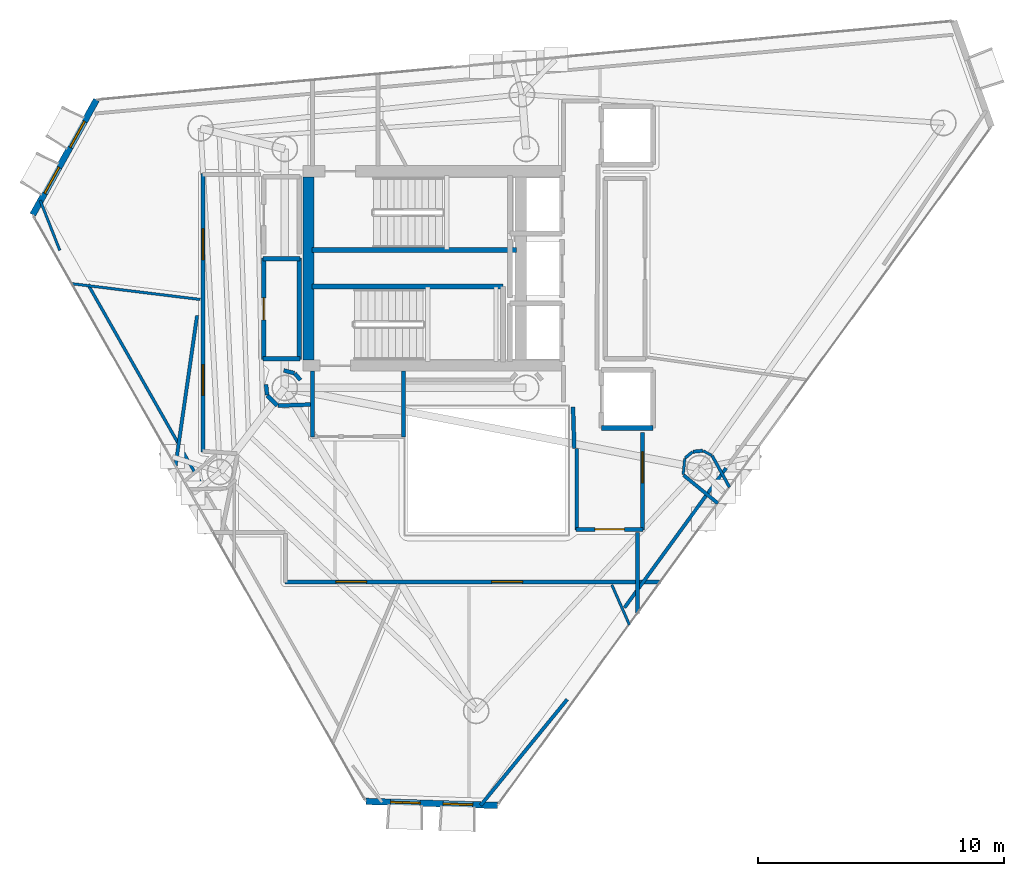
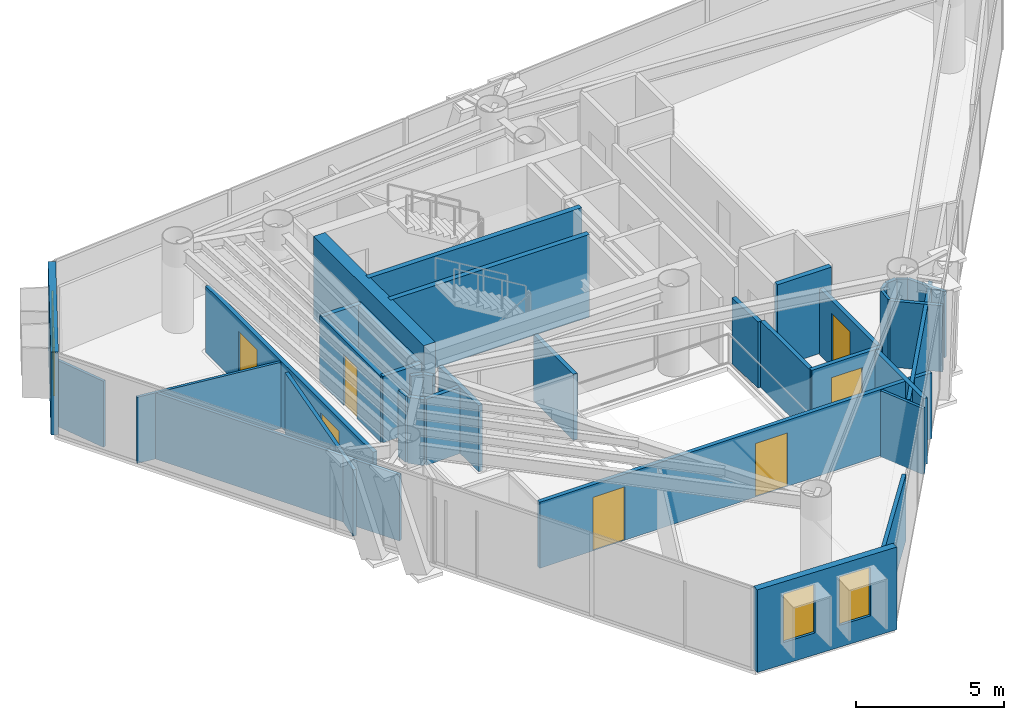
# One storey, part 17 of 21: 37 walls, 7 doors, 4 windows, 11 openings.
"""IFC4 building model written with IfcOpenShell, lengths in metres."""

from ifc_helpers import new_model, si_unit, direction, frame, frame_2d, origin, place, context, subcontext, project, spatial, rectangle, extrude, material, layer, layer_set, type_object, element, fill, save


model = new_model("IFC4")

# Units and contexts
model_context = context("Model", 3, precision=1e-05, world=origin(), true_north=direction((0.0, 1.0)))
body_context = subcontext(model_context, "Body", "Model", "MODEL_VIEW")
ifc_project = project(units=[si_unit("LENGTHUNIT", "METRE"), si_unit("AREAUNIT", "SQUARE_METRE"), si_unit("VOLUMEUNIT", "CUBIC_METRE"), si_unit("PLANEANGLEUNIT", "RADIAN"), si_unit("MASSUNIT", "GRAM", prefix="KILO")], contexts=[model_context])

# Site, building, storey
site_placement = place(None, origin())
site = spatial("IfcSite", under=ifc_project, at=site_placement, CompositionType="ELEMENT")
building_placement = place(site_placement, origin())
building = spatial("IfcBuilding", under=site, at=building_placement, Name="Qianvela Tower", CompositionType="ELEMENT")
storey_placement = place(building_placement, frame((0.0, 0.0, 272.300048828125)))
storey = spatial("IfcBuildingStorey", under=building, at=storey_placement, Name="L70", CompositionType="ELEMENT", Elevation=272.300048828125)

# Wall, openings, windows
ifc_material_1 = material(Name="Terracotta Cladding on Concrete C40", Category="masonry")
ifc_layer_1 = layer(ifc_material_1, 0.260009765625)
ifc_layer_set_1 = layer_set([ifc_layer_1], Name="Terracotta Cladding on Concrete C40")
wall_type_1 = type_object("IfcWallType", Name="TERRACOTTA-WALL-260", PredefinedType="SOLIDWALL", material=ifc_layer_set_1)
wall_1_placement = place(storey_placement, frame((20.956787109375, 35.5458984375, 0.0), z_axis=(0.0, 0.0, 1.0), x_axis=(-0.484978263169, -0.874526205584, 0.0)))
wall_1 = element("IfcWall", 1, at=wall_1_placement, inside=storey, type_object=wall_type_1, Name="L70 Terracotta Chamfer Facet Wall 3", PredefinedType="SOLIDWALL", context=body_context, shape_type="SweptSolid", body=[
    extrude(rectangle(XDim=5.333984375, YDim=0.260009765625, at=frame_2d((2.6669921875, 0.0))), origin(), (0.0, 0.0, 1.0), 3.39990234375),
])
opening_1_placement = place(wall_1_placement, frame((1.000244140625, 0.0, 0.89990234375)))
opening_1 = element("IfcOpeningElement", 2, at=opening_1_placement, cuts=wall_1, Name="Opening W-03", PredefinedType="OPENING", context=body_context, shape_type="SweptSolid", body=[
    extrude(rectangle(XDim=1.199951171875, YDim=2.0, at=frame_2d((0.60009765625, 1.0))), frame((0.0, 0.139892578125, 0.0), z_axis=(0.0, -1.0, 0.0), x_axis=(1.0, 0.0, 0.0)), (0.0, 0.0, 1.0), 0.280029296875),
])
opening_2_placement = place(wall_1_placement, frame((3.1337890625, 0.0, 0.89990234375)))
opening_2 = element("IfcOpeningElement", 3, at=opening_2_placement, cuts=wall_1, Name="Opening W-03", PredefinedType="OPENING", context=body_context, shape_type="SweptSolid", body=[
    extrude(rectangle(XDim=1.199951171875, YDim=2.0, at=frame_2d((0.60009765625, 1.0))), frame((0.0, 0.139892578125, 0.0), z_axis=(0.0, -1.0, 0.0), x_axis=(1.0, 0.0, 0.0)), (0.0, 0.0, 1.0), 0.280029296875),
])
ifc_material_2 = material(Name="Thermally Broken Aluminium and Low-E Glass", Category="aluminium")
window_type = type_object("IfcWindowType", Name="WIN-TC-1200x2000", PartitioningType="SINGLE_PANEL", PredefinedType="WINDOW", material=ifc_material_2)
window_1_placement = place(opening_1_placement, origin())
window_1 = element("IfcWindow", 4, at=window_1_placement, inside=storey, type_object=window_type, Name="L70 Chamfer Facet Window 3.1", OverallHeight=2.0, OverallWidth=1.199951171875, PartitioningType="SINGLE_PANEL", PredefinedType="WINDOW", context=body_context, shape_type="SweptSolid", body=[
    extrude(rectangle(XDim=1.199951171875, YDim=2.0, at=frame_2d((0.60009765625, 1.0))), frame((0.0, 0.030029296875, 0.0), z_axis=(0.0, -1.0, 0.0), x_axis=(1.0, 0.0, 0.0)), (0.0, 0.0, 1.0), 0.06005859375),
])
fill(opening_1, window_1)
window_2_placement = place(opening_2_placement, origin())
window_2 = element("IfcWindow", 5, at=window_2_placement, inside=storey, type_object=window_type, Name="L70 Chamfer Facet Window 3.2", OverallHeight=2.0, OverallWidth=1.199951171875, PartitioningType="SINGLE_PANEL", PredefinedType="WINDOW", context=body_context, shape_type="SweptSolid", body=[
    extrude(rectangle(XDim=1.199951171875, YDim=2.0, at=frame_2d((0.60009765625, 1.0))), frame((0.0, 0.030029296875, 0.0), z_axis=(0.0, -1.0, 0.0), x_axis=(1.0, 0.0, 0.0)), (0.0, 0.0, 1.0), 0.06005859375),
])
fill(opening_2, window_2)

wall_2_placement = place(storey_placement, frame((31.897216796875, 7.068603515625, 0.0), z_axis=(0.0, 0.0, 1.0), x_axis=(0.999514127971, -0.031169022857, 0.0)))
wall_2 = element("IfcWall", 6, at=wall_2_placement, inside=storey, type_object=wall_type_1, Name="L70 Terracotta Chamfer Facet Wall 5", PredefinedType="SOLIDWALL", context=body_context, shape_type="SweptSolid", body=[
    extrude(rectangle(XDim=5.334228515625, YDim=0.260009765625, at=frame_2d((2.6669921875, 0.0))), origin(), (0.0, 0.0, 1.0), 3.39990234375),
])
opening_3_placement = place(wall_2_placement, frame((1.000244140625, 0.0, 0.89990234375)))
opening_3 = element("IfcOpeningElement", 7, at=opening_3_placement, cuts=wall_2, Name="Opening W-03", PredefinedType="OPENING", context=body_context, shape_type="SweptSolid", body=[
    extrude(rectangle(XDim=1.199951171875, YDim=2.0, at=frame_2d((0.60009765625, 1.0))), frame((0.0, 0.139892578125, 0.0), z_axis=(0.0, -1.0, 0.0), x_axis=(1.0, 0.0, 0.0)), (0.0, 0.0, 1.0), 0.280029296875),
])
opening_4_placement = place(wall_2_placement, frame((3.1337890625, 0.0, 0.89990234375)))
opening_4 = element("IfcOpeningElement", 8, at=opening_4_placement, cuts=wall_2, Name="Opening W-03", PredefinedType="OPENING", context=body_context, shape_type="SweptSolid", body=[
    extrude(rectangle(XDim=1.199951171875, YDim=2.0, at=frame_2d((0.60009765625, 1.0))), frame((0.0, 0.139892578125, 0.0), z_axis=(0.0, -1.0, 0.0), x_axis=(1.0, 0.0, 0.0)), (0.0, 0.0, 1.0), 0.280029296875),
])
window_3_placement = place(opening_3_placement, origin())
window_3 = element("IfcWindow", 9, at=window_3_placement, inside=storey, type_object=window_type, Name="L70 Chamfer Facet Window 5.1", OverallHeight=2.0, OverallWidth=1.199951171875, PartitioningType="SINGLE_PANEL", PredefinedType="WINDOW", context=body_context, shape_type="SweptSolid", body=[
    extrude(rectangle(XDim=1.199951171875, YDim=2.0, at=frame_2d((0.60009765625, 1.0))), frame((0.0, 0.030029296875, 0.0), z_axis=(0.0, -1.0, 0.0), x_axis=(1.0, 0.0, 0.0)), (0.0, 0.0, 1.0), 0.06005859375),
])
fill(opening_3, window_3)
window_4_placement = place(opening_4_placement, origin())
window_4 = element("IfcWindow", 10, at=window_4_placement, inside=storey, type_object=window_type, Name="L70 Chamfer Facet Window 5.2", OverallHeight=2.0, OverallWidth=1.199951171875, PartitioningType="SINGLE_PANEL", PredefinedType="WINDOW", context=body_context, shape_type="SweptSolid", body=[
    extrude(rectangle(XDim=1.199951171875, YDim=2.0, at=frame_2d((0.60009765625, 1.0))), frame((0.0, 0.030029296875, 0.0), z_axis=(0.0, -1.0, 0.0), x_axis=(1.0, 0.0, 0.0)), (0.0, 0.0, 1.0), 0.06005859375),
])
fill(opening_4, window_4)

# Walls
ifc_material_3 = material(Name="Concrete C50", Category="concrete")
ifc_layer_2 = layer(ifc_material_3, 0.449951171875)
ifc_layer_set_2 = layer_set([ifc_layer_2], Name="Concrete C50")
wall_type_2 = type_object("IfcWallType", Name="WT-CORE-450", PredefinedType="SHEAR", material=ifc_layer_set_2)
wall_3_placement = place(storey_placement, frame((29.554931640625, 24.97998046875, 0.0), z_axis=(0.0, 0.0, 1.0), x_axis=(0.0, 1.0, 0.0)))
element("IfcWall", 11, at=wall_3_placement, inside=storey, type_object=wall_type_2, Name="L70 West Core Shear Wall", PredefinedType="SHEAR", context=body_context, shape_type="SweptSolid", body=[
    extrude(rectangle(XDim=7.43994140625, YDim=0.449951171875, at=frame_2d((3.719970703125, 0.0))), origin(), (0.0, 0.0, 1.0), 3.39990234375),
])
ifc_material_4 = material(Name="Fire-Rated Gypsum and Concrete Block", Category="concrete")
ifc_layer_3 = layer(ifc_material_4, 0.159912109375)
ifc_layer_set_3 = layer_set([ifc_layer_3], Name="Fire-Rated Gypsum and Concrete Block")
wall_type_3 = type_object("IfcWallType", Name="WT-CORR-160", PredefinedType="PARTITIONING", material=ifc_layer_set_3)
for number, where, z_axis, x_axis, name in (
    (12, (29.73095703125, 21.85009765625, 0.0), (0.0, 0.0, 1.0), (0.0, 1.0, 0.0), "L70 Partition 6"),
    (13, (33.4189453125, 24.5419921875, 0.0), (0.0, 0.0, 1.0), (0.0, -1.0, 0.0), "L70 Partition 8"),
):
    element("IfcWall", number, at=place(storey_placement, frame(where, z_axis=z_axis, x_axis=x_axis)), inside=storey, type_object=wall_type_3, Name=name, PredefinedType="PARTITIONING", context=body_context, shape_type="SweptSolid", body=[
        extrude(rectangle(XDim=2.69189453125, YDim=0.159912109375, at=frame_2d((1.345947265625, 0.0))), origin(), (0.0, 0.0, 1.0), 2.719970703125),
    ])
wall_4_placement = place(storey_placement, frame((40.35107421875, 21.40087890625, 0.0), z_axis=(0.0, 0.0, 1.0), x_axis=(-0.031058045979, 0.999517582527, 0.0)))
element("IfcWall", 14, at=wall_4_placement, inside=storey, type_object=wall_type_3, Name="L70 Partition 9", PredefinedType="PARTITIONING", context=body_context, shape_type="SweptSolid", body=[
    extrude(rectangle(XDim=1.68212890625, YDim=0.159912109375, at=frame_2d((0.841064453125, 0.0))), origin(), (0.0, 0.0, 1.0), 2.719970703125),
])

# Wall, opening, door
wall_5_placement = place(storey_placement, frame((43.118896484375, 22.050048828125, 0.0), z_axis=(0.0, 0.0, 1.0), x_axis=(0.0, -1.0, 0.0)))
wall_5 = element("IfcWall", 15, at=wall_5_placement, inside=storey, type_object=wall_type_3, Name="L70 Partition 16", PredefinedType="PARTITIONING", context=body_context, shape_type="SweptSolid", body=[
    extrude(rectangle(XDim=3.969970703125, YDim=0.159912109375, at=frame_2d((1.98486328125, 0.0))), origin(), (0.0, 0.0, 1.0), 2.719970703125),
])
opening_5_placement = place(wall_5_placement, frame((0.800048828125, 0.0, 0.0)))
opening_5 = element("IfcOpeningElement", 16, at=opening_5_placement, cuts=wall_5, Name="Opening D-LG1", PredefinedType="OPENING", context=body_context, shape_type="SweptSolid", body=[
    extrude(rectangle(XDim=1.25, YDim=2.199951171875, at=frame_2d((0.625, 1.10009765625))), frame((0.0, 0.08984375, 0.0), z_axis=(0.0, -1.0, 0.0), x_axis=(1.0, 0.0, 0.0)), (0.0, 0.0, 1.0), 0.179931640625),
])
ifc_material_5 = material(Name="Anodised Aluminium Acoustic Glass Door", Category="aluminium")
door_type_1 = type_object("IfcDoorType", Name="DT-LOUNGE-1250", OperationType="NOTDEFINED", PredefinedType="DOOR", material=ifc_material_5)
door_1_placement = place(opening_5_placement, origin())
door_1 = element("IfcDoor", 17, at=door_1_placement, inside=storey, type_object=door_type_1, Name="L70 Door Student Reading Library L70-04 to L70 Lift Lobby", OperationType="SINGLE_SWING_RIGHT", OverallHeight=2.199951171875, OverallWidth=1.25, PredefinedType="DOOR", context=body_context, shape_type="SweptSolid", body=[
    extrude(rectangle(XDim=1.25, YDim=2.199951171875, at=frame_2d((0.625, 1.10009765625))), frame((0.0, 0.02490234375, 0.0), z_axis=(0.0, -1.0, 0.0), x_axis=(1.0, 0.0, 0.0)), (0.0, 0.0, 1.0), 0.050048828125),
])
fill(opening_5, door_1)

wall_6_placement = place(storey_placement, frame((43.14990234375, 18.111083984375, 0.0), z_axis=(0.0, 0.0, 1.0), x_axis=(-1.0, 0.0, 0.0)))
wall_6 = element("IfcWall", 18, at=wall_6_placement, inside=storey, type_object=wall_type_3, Name="L70 Partition 17", PredefinedType="PARTITIONING", context=body_context, shape_type="SweptSolid", body=[
    extrude(rectangle(XDim=2.72998046875, YDim=0.159912109375, at=frame_2d((1.364990234375, 0.0))), origin(), (0.0, 0.0, 1.0), 2.719970703125),
])
opening_6_placement = place(wall_6_placement, frame((0.764892578125, 0.0, 0.0)))
opening_6 = element("IfcOpeningElement", 19, at=opening_6_placement, cuts=wall_6, Name="Opening D-LB1", PredefinedType="OPENING", context=body_context, shape_type="SweptSolid", body=[
    extrude(rectangle(XDim=1.199951171875, YDim=2.14990234375, at=frame_2d((0.60009765625, 1.074951171875))), frame((0.0, 0.08984375, 0.0), z_axis=(0.0, -1.0, 0.0), x_axis=(1.0, 0.0, 0.0)), (0.0, 0.0, 1.0), 0.179931640625),
])
ifc_material_6 = material(Name="Glazed Fire-Rated Steel Frame", Category="steel")
door_type_2 = type_object("IfcDoorType", Name="DT-LOBBY-FD90", OperationType="NOTDEFINED", PredefinedType="DOOR", material=ifc_material_6)
door_2_placement = place(opening_6_placement, origin())
door_2 = element("IfcDoor", 20, at=door_2_placement, inside=storey, type_object=door_type_2, Name="L70 Door L70 Lift Lobby to L70 Floor Corridor", OperationType="SINGLE_SWING_LEFT", OverallHeight=2.14990234375, OverallWidth=1.199951171875, PredefinedType="DOOR", context=body_context, shape_type="SweptSolid", body=[
    extrude(rectangle(XDim=1.199951171875, YDim=2.14990234375, at=frame_2d((0.60009765625, 1.074951171875))), frame((0.0, 0.02490234375, 0.0), z_axis=(0.0, -1.0, 0.0), x_axis=(1.0, 0.0, 0.0)), (0.0, 0.0, 1.0), 0.050048828125),
])
fill(opening_6, door_2)

# Walls
wall_7_placement = place(storey_placement, frame((40.450927734375, 18.080078125, 0.0), z_axis=(0.0, 0.0, 1.0), x_axis=(0.0, 1.0, 0.0)))
element("IfcWall", 21, at=wall_7_placement, inside=storey, type_object=wall_type_3, Name="L70 Partition 18 seg 1", PredefinedType="PARTITIONING", context=body_context, shape_type="SweptSolid", body=[
    extrude(rectangle(XDim=3.31982421875, YDim=0.159912109375, at=frame_2d((1.659912109375, 0.0))), origin(), (0.0, 0.0, 1.0), 2.719970703125),
])
wall_8_placement = place(storey_placement, frame((29.236083984375, 24.170166015625, 0.0), z_axis=(0.0, 0.0, 1.0), x_axis=(-0.652260263346, 0.757995084984, 0.0)))
element("IfcWall", 22, at=wall_8_placement, inside=storey, type_object=wall_type_3, Name="L70 Partition 35", PredefinedType="PARTITIONING", context=body_context, shape_type="SweptSolid", body=[
    extrude(rectangle(XDim=0.35546875, YDim=0.159912109375, at=frame_2d((0.177734375, 0.0))), origin(), (0.0, 0.0, 1.0), 2.719970703125),
])
wall_9_placement = place(storey_placement, frame((28.98828125, 24.44970703125, 0.0), z_axis=(0.0, 0.0, 1.0), x_axis=(-0.968704505916, 0.248216800836, 0.0)))
element("IfcWall", 23, at=wall_9_placement, inside=storey, type_object=wall_type_3, Name="L70 Partition 36", PredefinedType="PARTITIONING", context=body_context, shape_type="SweptSolid", body=[
    extrude(rectangle(XDim=0.444580078125, YDim=0.159912109375, at=frame_2d((0.22216796875, 0.0))), origin(), (0.0, 0.0, 1.0), 2.719970703125),
])
wall_10_placement = place(storey_placement, frame((27.83837890625, 23.9921875, 0.0), z_axis=(0.0, 0.0, 1.0), x_axis=(0.098273407977, -0.995159453196, 0.0)))
element("IfcWall", 24, at=wall_10_placement, inside=storey, type_object=wall_type_3, Name="L70 Partition 50", PredefinedType="PARTITIONING", context=body_context, shape_type="SweptSolid", body=[
    extrude(rectangle(XDim=0.432373046875, YDim=0.159912109375, at=frame_2d((0.21630859375, 0.0))), origin(), (0.0, 0.0, 1.0), 2.719970703125),
])
wall_11_placement = place(storey_placement, frame((27.889892578125, 23.54296875, 0.0), z_axis=(0.0, 0.0, 1.0), x_axis=(0.707106781187, -0.707106781187, 0.0)))
element("IfcWall", 25, at=wall_11_placement, inside=storey, type_object=wall_type_3, Name="L70 Partition 51", PredefinedType="PARTITIONING", context=body_context, shape_type="SweptSolid", body=[
    extrude(rectangle(XDim=0.570068359375, YDim=0.159912109375, at=frame_2d((0.28515625, 0.0))), origin(), (0.0, 0.0, 1.0), 2.719970703125),
])
wall_12_placement = place(storey_placement, frame((28.31591796875, 23.130615234375, 0.0), z_axis=(0.0, 0.0, 1.0), x_axis=(0.999405342193, 0.034481328227, 0.0)))
element("IfcWall", 26, at=wall_12_placement, inside=storey, type_object=wall_type_3, Name="L70 Partition 52", PredefinedType="PARTITIONING", context=body_context, shape_type="SweptSolid", body=[
    extrude(rectangle(XDim=1.323974609375, YDim=0.159912109375, at=frame_2d((0.662109375, 0.0))), origin(), (0.0, 0.0, 1.0), 2.719970703125),
])
wall_13_placement = place(storey_placement, frame((42.9189453125, 17.97998046875, 0.0), z_axis=(0.0, 0.0, 1.0), x_axis=(0.0, -1.0, 0.0)))
element("IfcWall", 27, at=wall_13_placement, inside=storey, type_object=wall_type_3, Name="L70 Partition 56", PredefinedType="PARTITIONING", context=body_context, shape_type="SweptSolid", body=[
    extrude(rectangle(XDim=3.279296875, YDim=0.159912109375, at=frame_2d((1.6396484375, 0.0))), origin(), (0.0, 0.0, 1.0), 2.719970703125),
])

# Wall, openings, doors
wall_14_placement = place(storey_placement, frame((43.856201171875, 15.98095703125, 0.0), z_axis=(0.0, 0.0, 1.0), x_axis=(-1.0, 0.0, 0.0)))
wall_14 = element("IfcWall", 28, at=wall_14_placement, inside=storey, type_object=wall_type_3, Name="L70 Partition 57", PredefinedType="PARTITIONING", context=body_context, shape_type="SweptSolid", body=[
    extrude(rectangle(XDim=15.256103515625, YDim=0.159912109375, at=frame_2d((7.6279296875, 0.0))), origin(), (0.0, 0.0, 1.0), 2.719970703125),
])
opening_7_placement = place(wall_14_placement, frame((11.93603515625, 0.0, 0.0)))
opening_7 = element("IfcOpeningElement", 29, at=opening_7_placement, cuts=wall_14, Name="Opening D-LG1", PredefinedType="OPENING", context=body_context, shape_type="SweptSolid", body=[
    extrude(rectangle(XDim=1.25, YDim=2.199951171875, at=frame_2d((0.625, 1.10009765625))), frame((0.0, 0.08984375, 0.0), z_axis=(0.0, -1.0, 0.0), x_axis=(1.0, 0.0, 0.0)), (0.0, 0.0, 1.0), 0.179931640625),
])
opening_8_placement = place(wall_14_placement, frame((5.606689453125, 0.0, 0.0)))
opening_8 = element("IfcOpeningElement", 30, at=opening_8_placement, cuts=wall_14, Name="Opening D-LG1", PredefinedType="OPENING", context=body_context, shape_type="SweptSolid", body=[
    extrude(rectangle(XDim=1.25, YDim=2.199951171875, at=frame_2d((0.625, 1.10009765625))), frame((0.0, 0.08984375, 0.0), z_axis=(0.0, -1.0, 0.0), x_axis=(1.0, 0.0, 0.0)), (0.0, 0.0, 1.0), 0.179931640625),
])
door_3_placement = place(opening_7_placement, origin())
door_3 = element("IfcDoor", 31, at=door_3_placement, inside=storey, type_object=door_type_1, Name="L70 Door Student Fitness Gym L70-02 to L70 Floor Corridor", OperationType="SINGLE_SWING_RIGHT", OverallHeight=2.199951171875, OverallWidth=1.25, PredefinedType="DOOR", context=body_context, shape_type="SweptSolid", body=[
    extrude(rectangle(XDim=1.25, YDim=2.199951171875, at=frame_2d((0.625, 1.10009765625))), frame((0.0, 0.02490234375, 0.0), z_axis=(0.0, -1.0, 0.0), x_axis=(1.0, 0.0, 0.0)), (0.0, 0.0, 1.0), 0.050048828125),
])
fill(opening_7, door_3)
door_4_placement = place(opening_8_placement, origin())
door_4 = element("IfcDoor", 32, at=door_4_placement, inside=storey, type_object=door_type_1, Name="L70 Door Maker Craft Workshop L70-03 to L70 Floor Corridor", OperationType="SINGLE_SWING_LEFT", OverallHeight=2.199951171875, OverallWidth=1.25, PredefinedType="DOOR", context=body_context, shape_type="SweptSolid", body=[
    extrude(rectangle(XDim=1.25, YDim=2.199951171875, at=frame_2d((0.625, 1.10009765625))), frame((0.0, 0.02490234375, 0.0), z_axis=(0.0, -1.0, 0.0), x_axis=(1.0, 0.0, 0.0)), (0.0, 0.0, 1.0), 0.050048828125),
])
fill(opening_8, door_4)

wall_15_placement = place(storey_placement, frame((25.281005859375, 21.253173828125, 0.0), z_axis=(0.0, 0.0, 1.0), x_axis=(0.0, 1.0, 0.0)))
wall_15 = element("IfcWall", 33, at=wall_15_placement, inside=storey, type_object=wall_type_3, Name="L70 Partition 62", PredefinedType="PARTITIONING", context=body_context, shape_type="SweptSolid", body=[
    extrude(rectangle(XDim=11.296875, YDim=0.159912109375, at=frame_2d((5.6484375, 0.0))), origin(), (0.0, 0.0, 1.0), 2.719970703125),
])
opening_9_placement = place(wall_15_placement, frame((2.294921875, 0.0, 0.0)))
opening_9 = element("IfcOpeningElement", 34, at=opening_9_placement, cuts=wall_15, Name="Opening D-LG1", PredefinedType="OPENING", context=body_context, shape_type="SweptSolid", body=[
    extrude(rectangle(XDim=1.25, YDim=2.199951171875, at=frame_2d((0.625, 1.10009765625))), frame((0.0, 0.08984375, 0.0), z_axis=(0.0, -1.0, 0.0), x_axis=(1.0, 0.0, 0.0)), (0.0, 0.0, 1.0), 0.179931640625),
])
opening_10_placement = place(wall_15_placement, frame((7.8046875, 0.0, 0.0)))
opening_10 = element("IfcOpeningElement", 35, at=opening_10_placement, cuts=wall_15, Name="Opening D-LG1", PredefinedType="OPENING", context=body_context, shape_type="SweptSolid", body=[
    extrude(rectangle(XDim=1.25, YDim=2.199951171875, at=frame_2d((0.625, 1.10009765625))), frame((0.0, 0.08984375, 0.0), z_axis=(0.0, -1.0, 0.0), x_axis=(1.0, 0.0, 0.0)), (0.0, 0.0, 1.0), 0.179931640625),
])
door_5_placement = place(opening_9_placement, origin())
door_5 = element("IfcDoor", 36, at=door_5_placement, inside=storey, type_object=door_type_1, Name="L70 Door Media Practice Cinema L70-01 to L70 Floor Corridor", OperationType="SINGLE_SWING_LEFT", OverallHeight=2.199951171875, OverallWidth=1.25, PredefinedType="DOOR", context=body_context, shape_type="SweptSolid", body=[
    extrude(rectangle(XDim=1.25, YDim=2.199951171875, at=frame_2d((0.625, 1.10009765625))), frame((0.0, 0.02490234375, 0.0), z_axis=(0.0, -1.0, 0.0), x_axis=(1.0, 0.0, 0.0)), (0.0, 0.0, 1.0), 0.050048828125),
])
fill(opening_9, door_5)
door_6_placement = place(opening_10_placement, origin())
door_6 = element("IfcDoor", 37, at=door_6_placement, inside=storey, type_object=door_type_1, Name="L70 Door Student Bookshop Market L70-05 to L70 Floor Corridor", OperationType="SINGLE_SWING_LEFT", OverallHeight=2.199951171875, OverallWidth=1.25, PredefinedType="DOOR", context=body_context, shape_type="SweptSolid", body=[
    extrude(rectangle(XDim=1.25, YDim=2.199951171875, at=frame_2d((0.625, 1.10009765625))), frame((0.0, 0.02490234375, 0.0), z_axis=(0.0, -1.0, 0.0), x_axis=(1.0, 0.0, 0.0)), (0.0, 0.0, 1.0), 0.050048828125),
])
fill(opening_10, door_6)

# Walls
ifc_material_7 = material(Name="Lightweight Gypsum Room Partition")
ifc_layer_4 = layer(ifc_material_7, 0.10498046875)
ifc_layer_set_4 = layer_set([ifc_layer_4], Name="Lightweight Gypsum Room Partition")
wall_type_4 = type_object("IfcWallType", Name="WT-PART-105", PredefinedType="PARTITIONING", material=ifc_layer_set_4)
wall_16_placement = place(storey_placement, frame((19.94091796875, 28.0830078125, 0.0), z_axis=(0.0, 0.0, 1.0), x_axis=(0.992540305233, -0.121916949141, 0.0)))
element("IfcWall", 38, at=wall_16_placement, inside=storey, type_object=wall_type_4, Name="L70 Partition 69", PredefinedType="PARTITIONING", context=body_context, shape_type="SweptSolid", body=[
    extrude(rectangle(XDim=5.2646484375, YDim=0.10498046875, at=frame_2d((2.63232421875, 0.0))), origin(), (0.0, 0.0, 1.0), 2.719970703125),
])
wall_17_placement = place(storey_placement, frame((41.8759765625, 15.857421875, 0.0), z_axis=(0.0, 0.0, 1.0), x_axis=(0.402142340912, -0.915577160946, 0.0)))
element("IfcWall", 39, at=wall_17_placement, inside=storey, type_object=wall_type_4, Name="L70 Partition 81", PredefinedType="PARTITIONING", context=body_context, shape_type="SweptSolid", body=[
    extrude(rectangle(XDim=1.770263671875, YDim=0.10498046875, at=frame_2d((0.88525390625, 0.0))), origin(), (0.0, 0.0, 1.0), 2.719970703125),
])
wall_18_placement = place(storey_placement, frame((45.93505859375, 21.109619140625, 0.0), z_axis=(0.0, 0.0, 1.0), x_axis=(-0.881944865518, 0.471352579484, 0.0)))
element("IfcWall", 40, at=wall_18_placement, inside=storey, type_object=wall_type_4, Name="L70 Partition 93", PredefinedType="PARTITIONING", context=body_context, shape_type="SweptSolid", body=[
    extrude(rectangle(XDim=0.397705078125, YDim=0.10498046875, at=frame_2d((0.19873046875, 0.0))), origin(), (0.0, 0.0, 1.0), 2.719970703125),
])
wall_19_placement = place(storey_placement, frame((44.835693359375, 20.981689453125, 0.0), z_axis=(0.0, 0.0, 1.0), x_axis=(-0.098268734456, -0.995159914701, 0.0)))
element("IfcWall", 41, at=wall_19_placement, inside=storey, type_object=wall_type_4, Name="L70 Partition 96", PredefinedType="PARTITIONING", context=body_context, shape_type="SweptSolid", body=[
    extrude(rectangle(XDim=0.64599609375, YDim=0.10498046875, at=frame_2d((0.322998046875, 0.0))), origin(), (0.0, 0.0, 1.0), 2.719970703125),
])
wall_20_placement = place(storey_placement, frame((19.467529296875, 29.4345703125, 0.0), z_axis=(0.0, 0.0, 1.0), x_axis=(-0.364695137209, 0.931126982155, 0.0)))
element("IfcWall", 42, at=wall_20_placement, inside=storey, type_object=wall_type_4, Name="L70 Partition 108 seg 1", PredefinedType="PARTITIONING", context=body_context, shape_type="SweptSolid", body=[
    extrude(rectangle(XDim=2.178466796875, YDim=0.10498046875, at=frame_2d((1.08935546875, 0.0))), origin(), (0.0, 0.0, 1.0), 2.719970703125),
])
ifc_material_8 = material(Name="Insulated Gypsum Stud Partition")
ifc_layer_5 = layer(ifc_material_8, 0.1201171875)
ifc_layer_set_5 = layer_set([ifc_layer_5], Name="Insulated Gypsum Stud Partition")
wall_type_5 = type_object("IfcWallType", Name="WT-PART-120", PredefinedType="PARTITIONING", material=ifc_layer_set_5)
wall_21_placement = place(storey_placement, frame((25.364501953125, 19.68408203125, 0.0), z_axis=(0.0, 0.0, 1.0), x_axis=(-0.493962326572, 0.869483306296, 0.0)))
element("IfcWall", 43, at=wall_21_placement, inside=storey, type_object=wall_type_5, Name="L70 Partition 68", PredefinedType="PARTITIONING", context=body_context, shape_type="SweptSolid", body=[
    extrude(rectangle(XDim=9.6220703125, YDim=0.1201171875, at=frame_2d((4.81103515625, 0.0))), origin(), (0.0, 0.0, 1.0), 2.719970703125),
])
wall_22_placement = place(storey_placement, frame((46.652587890625, 19.820068359375, 0.0), z_axis=(0.0, 0.0, 1.0), x_axis=(-0.483254274617, 0.875480043213, 0.0)))
element("IfcWall", 44, at=wall_22_placement, inside=storey, type_object=wall_type_5, Name="L70 Partition 92", PredefinedType="PARTITIONING", context=body_context, shape_type="SweptSolid", body=[
    extrude(rectangle(XDim=1.458984375, YDim=0.1201171875, at=frame_2d((0.7294921875, 0.0))), origin(), (0.0, 0.0, 1.0), 2.719970703125),
])
wall_23_placement = place(storey_placement, frame((45.154296875, 21.2548828125, 0.0), z_axis=(0.0, 0.0, 1.0), x_axis=(-0.773027083708, -0.634373019487, 0.0)))
element("IfcWall", 45, at=wall_23_placement, inside=storey, type_object=wall_type_5, Name="L70 Partition 95", PredefinedType="PARTITIONING", context=body_context, shape_type="SweptSolid", body=[
    extrude(rectangle(XDim=0.39794921875, YDim=0.1201171875, at=frame_2d((0.198974609375, 0.0))), origin(), (0.0, 0.0, 1.0), 2.719970703125),
])

# Wall, opening, door
ifc_material_9 = material(Name="Moisture-Resistant Acoustic Plumbing Wall")
ifc_layer_6 = layer(ifc_material_9, 0.175048828125)
ifc_layer_set_6 = layer_set([ifc_layer_6], Name="Moisture-Resistant Acoustic Plumbing Wall")
wall_type_6 = type_object("IfcWallType", Name="WT-PLUMB-175", PredefinedType="PLUMBINGWALL", material=ifc_layer_set_6)
wall_24_placement = place(storey_placement, frame((27.7509765625, 25.0, 0.0), z_axis=(0.0, 0.0, 1.0), x_axis=(0.0, 1.0, 0.0)))
wall_24 = element("IfcWall", 46, at=wall_24_placement, inside=storey, type_object=wall_type_6, Name="L70 Partition 23", PredefinedType="PLUMBINGWALL", context=body_context, shape_type="SweptSolid", body=[
    extrude(rectangle(XDim=4.1201171875, YDim=0.175048828125, at=frame_2d((2.06005859375, 0.0))), origin(), (0.0, 0.0, 1.0), 2.719970703125),
])
opening_11_placement = place(wall_24_placement, frame((1.610107421875, 0.0, 0.0)))
opening_11 = element("IfcOpeningElement", 47, at=opening_11_placement, cuts=wall_24, Name="Opening D-KT1", PredefinedType="OPENING", context=body_context, shape_type="SweptSolid", body=[
    extrude(rectangle(XDim=0.89990234375, YDim=2.10009765625, at=frame_2d((0.449951171875, 1.050048828125))), frame((0.0, 0.097412109375, 0.0), z_axis=(0.0, -1.0, 0.0), x_axis=(1.0, 0.0, 0.0)), (0.0, 0.0, 1.0), 0.195068359375),
])
ifc_material_10 = material(Name="Glazed Timber Kitchen Door", Category="wood")
door_type_3 = type_object("IfcDoorType", Name="DT-KITCH-900", OperationType="NOTDEFINED", PredefinedType="DOOR", material=ifc_material_10)
door_7_placement = place(opening_11_placement, origin())
door_7 = element("IfcDoor", 48, at=door_7_placement, inside=storey, type_object=door_type_3, Name="L70 Door L70 Core Tea Pantry West to L70 Floor Corridor", OperationType="SINGLE_SWING_RIGHT", OverallHeight=2.10009765625, OverallWidth=0.89990234375, PredefinedType="DOOR", context=body_context, shape_type="SweptSolid", body=[
    extrude(rectangle(XDim=0.89990234375, YDim=2.10009765625, at=frame_2d((0.449951171875, 1.050048828125))), frame((0.0, 0.02490234375, 0.0), z_axis=(0.0, -1.0, 0.0), x_axis=(1.0, 0.0, 0.0)), (0.0, 0.0, 1.0), 0.050048828125),
])
fill(opening_11, door_7)

# Walls
wall_25_placement = place(storey_placement, frame((27.719970703125, 29.089111328125, 0.0), z_axis=(0.0, 0.0, 1.0), x_axis=(1.0, 0.0, 0.0)))
element("IfcWall", 49, at=wall_25_placement, inside=storey, type_object=wall_type_6, Name="L70 Partition 24", PredefinedType="PLUMBINGWALL", context=body_context, shape_type="SweptSolid", body=[
    extrude(rectangle(XDim=1.5, YDim=0.175048828125, at=frame_2d((0.75, 0.0))), origin(), (0.0, 0.0, 1.0), 2.719970703125),
])
wall_26_placement = place(storey_placement, frame((29.18896484375, 29.1201171875, 0.0), z_axis=(0.0, 0.0, 1.0), x_axis=(0.0, -1.0, 0.0)))
element("IfcWall", 50, at=wall_26_placement, inside=storey, type_object=wall_type_6, Name="L70 Partition 25", PredefinedType="PLUMBINGWALL", context=body_context, shape_type="SweptSolid", body=[
    extrude(rectangle(XDim=4.1201171875, YDim=0.175048828125, at=frame_2d((2.06005859375, 0.0))), origin(), (0.0, 0.0, 1.0), 2.719970703125),
])
wall_27_placement = place(storey_placement, frame((29.219970703125, 25.031005859375, 0.0), z_axis=(0.0, 0.0, 1.0), x_axis=(-1.0, 0.0, 0.0)))
element("IfcWall", 51, at=wall_27_placement, inside=storey, type_object=wall_type_6, Name="L70 Partition 26", PredefinedType="PLUMBINGWALL", context=body_context, shape_type="SweptSolid", body=[
    extrude(rectangle(XDim=1.5, YDim=0.175048828125, at=frame_2d((0.75, 0.0))), origin(), (0.0, 0.0, 1.0), 2.719970703125),
])
ifc_material_11 = material(Name="Acoustic Double Gypsum Stud Partition")
ifc_layer_7 = layer(ifc_material_11, 0.139892578125)
ifc_layer_set_7 = layer_set([ifc_layer_7], Name="Acoustic Double Gypsum Stud Partition")
wall_type_7 = type_object("IfcWallType", Name="WT-ROOM-140", PredefinedType="PARTITIONING", material=ifc_layer_set_7)
wall_28_placement = place(storey_placement, frame((25.041015625, 26.789794921875, 0.0), z_axis=(0.0, 0.0, 1.0), x_axis=(-0.14221349632, -0.989836007359, 0.0)))
element("IfcWall", 52, at=wall_28_placement, inside=storey, type_object=wall_type_7, Name="L70 Partition 70 seg 1", PredefinedType="PARTITIONING", context=body_context, shape_type="SweptSolid", body=[
    extrude(rectangle(XDim=6.169921875, YDim=0.139892578125, at=frame_2d((3.0849609375, 0.0))), origin(), (0.0, 0.0, 1.0), 2.719970703125),
])
wall_29_placement = place(storey_placement, frame((40.06640625, 11.208984375, 0.0), z_axis=(0.0, 0.0, 1.0), x_axis=(-0.632811759481, -0.774305674177, 0.0)))
element("IfcWall", 53, at=wall_29_placement, inside=storey, type_object=wall_type_7, Name="L70 Partition 82 seg 1", PredefinedType="PARTITIONING", context=body_context, shape_type="SweptSolid", body=[
    extrude(rectangle(XDim=5.555908203125, YDim=0.139892578125, at=frame_2d((2.77783203125, 0.0))), origin(), (0.0, 0.0, 1.0), 2.719970703125),
])
wall_30_placement = place(storey_placement, frame((45.566650390625, 21.30078125, 0.0), z_axis=(0.0, 0.0, 1.0), x_axis=(-0.995164018156, -0.098227170207, 0.0)))
element("IfcWall", 54, at=wall_30_placement, inside=storey, type_object=wall_type_7, Name="L70 Partition 94", PredefinedType="PARTITIONING", context=body_context, shape_type="SweptSolid", body=[
    extrude(rectangle(XDim=0.397705078125, YDim=0.139892578125, at=frame_2d((0.19873046875, 0.0))), origin(), (0.0, 0.0, 1.0), 2.719970703125),
])
wall_31_placement = place(storey_placement, frame((44.783447265625, 20.31201171875, 0.0), z_axis=(0.0, 0.0, 1.0), x_axis=(0.772998561014, -0.634407774756, 0.0)))
element("IfcWall", 55, at=wall_31_placement, inside=storey, type_object=wall_type_7, Name="L70 Partition 97", PredefinedType="PARTITIONING", context=body_context, shape_type="SweptSolid", body=[
    extrude(rectangle(XDim=1.8056640625, YDim=0.139892578125, at=frame_2d((0.90283203125, 0.0))), origin(), (0.0, 0.0, 1.0), 2.719970703125),
])
wall_32_placement = place(storey_placement, frame((46.51318359375, 20.595703125, 0.0), z_axis=(0.0, 0.0, 1.0), x_axis=(-0.588445207011, -0.808537097693, 0.0)))
element("IfcWall", 56, at=wall_32_placement, inside=storey, type_object=wall_type_7, Name="L70 Partition 100", PredefinedType="PARTITIONING", context=body_context, shape_type="SweptSolid", body=[
    extrude(rectangle(XDim=7.005126953125, YDim=0.139892578125, at=frame_2d((3.50244140625, 0.0))), origin(), (0.0, 0.0, 1.0), 2.719970703125),
])
ifc_material_12 = material(Name="Concrete C50", Category="concrete")
ifc_layer_8 = layer(ifc_material_12, 0.199951171875)
ifc_layer_set_8 = layer_set([ifc_layer_8], Name="Concrete C50")
wall_type_8 = type_object("IfcWallType", Name="WT-SHAFT-200", PredefinedType="SOLIDWALL", material=ifc_layer_set_8)
wall_33_placement = place(storey_placement, frame((29.699951171875, 29.449951171875, 0.0), z_axis=(0.0, 0.0, 1.0), x_axis=(1.0, 0.0, 0.0)))
element("IfcWall", 57, at=wall_33_placement, inside=storey, type_object=wall_type_8, Name="L70 Stair ST-1 South Wall", PredefinedType="SOLIDWALL", context=body_context, shape_type="SweptSolid", body=[
    extrude(rectangle(XDim=8.300048828125, YDim=0.199951171875, at=frame_2d((4.14990234375, 0.0))), origin(), (0.0, 0.0, 1.0), 3.39990234375),
])
wall_34_placement = place(storey_placement, frame((29.699951171875, 27.9599609375, 0.0), z_axis=(0.0, 0.0, 1.0), x_axis=(1.0, 0.0, 0.0)))
element("IfcWall", 58, at=wall_34_placement, inside=storey, type_object=wall_type_8, Name="L70 Stair ST-2 North Wall", PredefinedType="SOLIDWALL", context=body_context, shape_type="SweptSolid", body=[
    extrude(rectangle(XDim=7.75, YDim=0.199951171875, at=frame_2d((3.875, 0.0))), origin(), (0.0, 0.0, 1.0), 3.39990234375),
])
wall_35_placement = place(storey_placement, frame((41.449951171875, 22.219970703125, 0.0), z_axis=(0.0, 0.0, 1.0), x_axis=(1.0, 0.0, 0.0)))
element("IfcWall", 59, at=wall_35_placement, inside=storey, type_object=wall_type_8, Name="L70 Lift PL-H2 S Shaft Wall", PredefinedType="SOLIDWALL", context=body_context, shape_type="SweptSolid", body=[
    extrude(rectangle(XDim=2.10009765625, YDim=0.199951171875, at=frame_2d((1.050048828125, 0.0))), origin(), (0.0, 0.0, 1.0), 3.39990234375),
])

save(model, "model.ifc")
